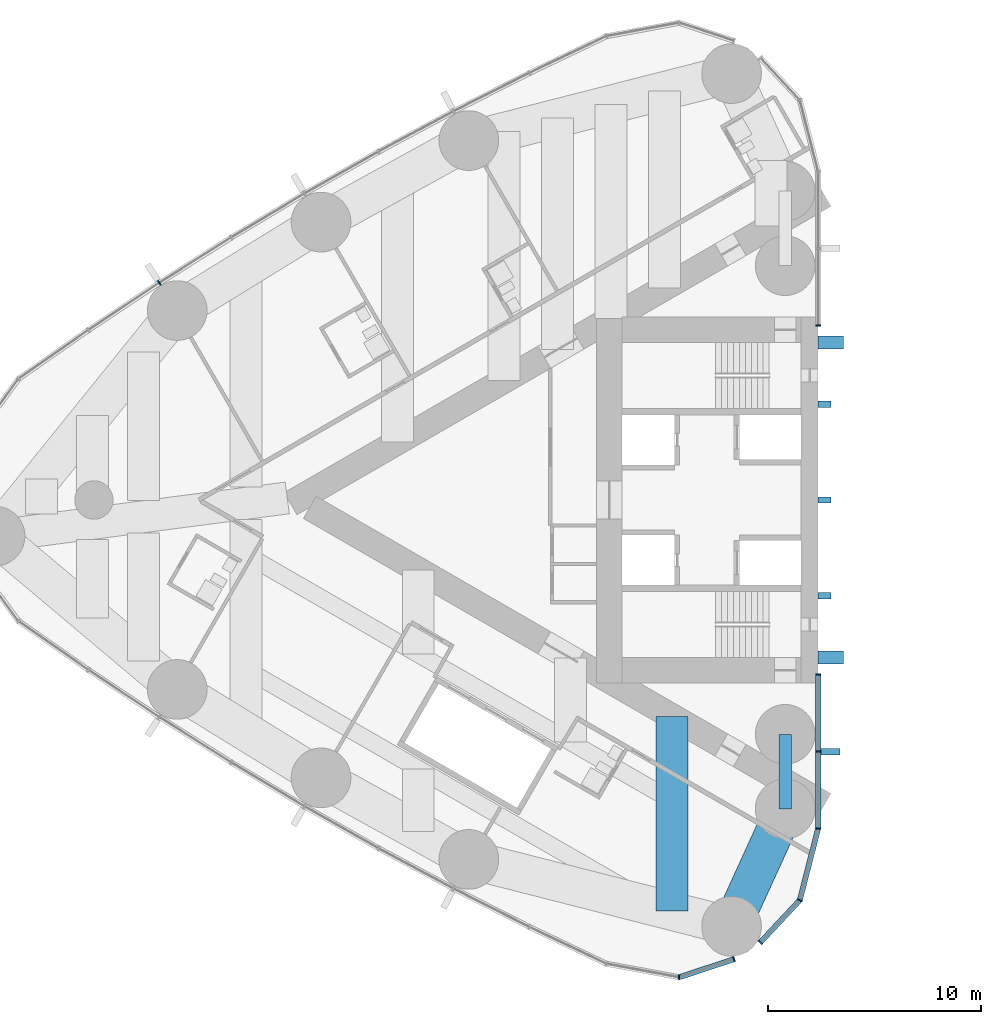
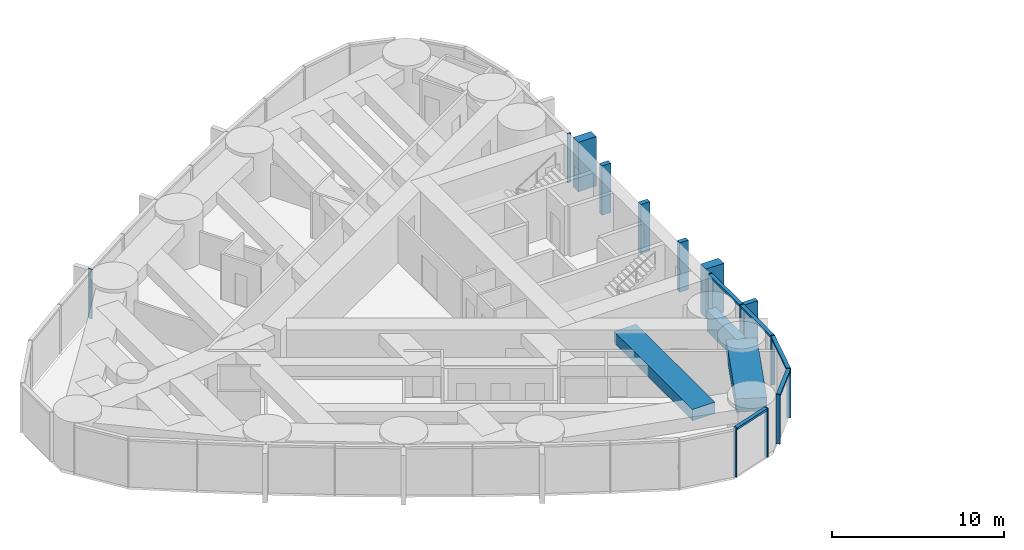
# One storey, part 4 of 19: 20 members, 3 beams, 4 elements without a shape of their own.
"""IFC4 building model written with IfcOpenShell, lengths in metres."""

from ifc_helpers import new_model, si_unit, direction, frame, origin, origin_2d, place, context, subcontext, project, spatial, rectangle, hollow_rectangle, extrude, material, material_profile, profile_set, type_object, element, aggregate, save


model = new_model("IFC4")

# Units and contexts
model_context = context("Model", 3, precision=1e-05, world=origin(), true_north=direction((0.0, 1.0)))
body_context = subcontext(model_context, "Body", "Model", "MODEL_VIEW")
ifc_project = project(units=[si_unit("LENGTHUNIT", "METRE"), si_unit("AREAUNIT", "SQUARE_METRE"), si_unit("VOLUMEUNIT", "CUBIC_METRE"), si_unit("PLANEANGLEUNIT", "RADIAN"), si_unit("MASSUNIT", "GRAM", prefix="KILO")], contexts=[model_context])

# Site, building, storey
site_placement = place(None, origin())
site = spatial("IfcSite", under=ifc_project, at=site_placement, CompositionType="ELEMENT")
building_placement = place(site_placement, origin())
building = spatial("IfcBuilding", under=site, at=building_placement, Name="Lancet Gate Hotel", CompositionType="ELEMENT")
storey_placement = place(building_placement, frame((0.0, 0.0, 194.800048828125)))
storey = spatial("IfcBuildingStorey", under=building, at=storey_placement, Name="L52", CompositionType="ELEMENT", Elevation=194.800048828125)

# Curtain wall, member
ifc_material_1 = material(Name="Aluminium curtain wall", Category="aluminium")
curtain_wall_type = type_object("IfcCurtainWallType", Name="Tower unitised curtain wall", PredefinedType="USERDEFINED", material=ifc_material_1)
curtain_wall_1_placement = place(storey_placement, origin())
curtain_wall_1 = element("IfcCurtainWall", 1, at=curtain_wall_1_placement, inside=storey, type_object=curtain_wall_type, Name="T1 L52 curtain wall 1", ObjectType="UNITISED CURTAIN WALL", PredefinedType="USERDEFINED")
ifc_material_2 = material(Name="Aluminium mullion", Category="aluminium")
ifc_material_profile_1 = material_profile(ifc_material_2, rectangle(XDim=0.06494140625, YDim=0.25, at=origin_2d()), Name="MULLION 65x250")
ifc_profile_set_1 = profile_set([ifc_material_profile_1], Name="Aluminium mullion")
member_type_1 = type_object("IfcMemberType", Name="Aluminium mullion 65x250", PredefinedType="MULLION", material=ifc_profile_set_1)
member_1_placement = place(storey_placement, frame((-27.5, 8.199951171875, 0.0), z_axis=(0.0, 0.0, 1.0), x_axis=(0.0, 1.0, 0.0)))
member_1 = element("IfcMember", 2, at=member_1_placement, type_object=member_type_1, Name="T1 L52 curtain wall 1 mullion 1", PredefinedType="MULLION", context=body_context, shape_type="SweptSolid", body=[
    extrude(rectangle(XDim=0.06494140625, YDim=0.25, at=origin_2d()), origin(), (0.0, 0.0, 1.0), 3.5),
])
aggregate(curtain_wall_1, [member_1])

curtain_wall_2_placement = place(storey_placement, origin())
curtain_wall_2 = element("IfcCurtainWall", 3, at=curtain_wall_2_placement, inside=storey, type_object=curtain_wall_type, Name="T1 L52 curtain wall 2", ObjectType="UNITISED CURTAIN WALL", PredefinedType="USERDEFINED")
member_2_placement = place(storey_placement, frame((-58.43212890625, 10.194091796875, 0.0), z_axis=(0.0, 0.0, 1.0), x_axis=(-0.839331119324, -0.54362052218, 0.0)))
member_2 = element("IfcMember", 4, at=member_2_placement, type_object=member_type_1, Name="T1 L52 curtain wall 2 mullion 9", PredefinedType="MULLION", context=body_context, shape_type="SweptSolid", body=[
    extrude(rectangle(XDim=0.06494140625, YDim=0.25, at=origin_2d()), origin(), (0.0, 0.0, 1.0), 3.5),
])
aggregate(curtain_wall_2, [member_2])

# Curtain wall, members
curtain_wall_3_placement = place(storey_placement, origin())
curtain_wall_3 = element("IfcCurtainWall", 5, at=curtain_wall_3_placement, inside=storey, type_object=curtain_wall_type, Name="T1 L52 curtain wall 3", ObjectType="UNITISED CURTAIN WALL", PredefinedType="USERDEFINED")
member_3_placement = place(storey_placement, frame((-34.02783203125, -22.407470703125, 0.0), z_axis=(0.0, 0.0, 1.0), x_axis=(0.999350473622, 0.036036521361, 0.0)))
member_3 = element("IfcMember", 6, at=member_3_placement, type_object=member_type_1, Name="T1 L52 curtain wall 3 mullion 11", PredefinedType="MULLION", context=body_context, shape_type="SweptSolid", body=[
    extrude(rectangle(XDim=0.06494140625, YDim=0.25, at=origin_2d()), origin(), (0.0, 0.0, 1.0), 3.5),
])
member_4_placement = place(storey_placement, frame((-31.45263671875, -21.5595703125, 0.0), z_axis=(0.0, 0.0, 1.0), x_axis=(0.949848055084, 0.312711803827, 0.0)))
member_4 = element("IfcMember", 7, at=member_4_placement, type_object=member_type_1, Name="T1 L52 curtain wall 3 mullion 12", PredefinedType="MULLION", context=body_context, shape_type="SweptSolid", body=[
    extrude(rectangle(XDim=0.06494140625, YDim=0.25, at=origin_2d()), origin(), (0.0, 0.0, 1.0), 3.5),
])

curtain_wall_4_placement = place(storey_placement, origin())
curtain_wall_4 = element("IfcCurtainWall", 8, at=curtain_wall_4_placement, inside=storey, type_object=curtain_wall_type, Name="T1 L52 curtain wall 4", ObjectType="UNITISED CURTAIN WALL", PredefinedType="USERDEFINED")
member_5_placement = place(storey_placement, frame((-30.210693359375, -20.765625, 0.0), z_axis=(0.0, 0.0, 1.0), x_axis=(0.682844962172, 0.730563315282, 0.0)))
member_5 = element("IfcMember", 9, at=member_5_placement, type_object=member_type_1, Name="T1 L52 curtain wall 4 mullion 1", PredefinedType="MULLION", context=body_context, shape_type="SweptSolid", body=[
    extrude(rectangle(XDim=0.06494140625, YDim=0.25, at=origin_2d()), origin(), (0.0, 0.0, 1.0), 3.5),
])
member_6_placement = place(storey_placement, frame((-28.360595703125, -18.7861328125, 0.0), z_axis=(0.0, 0.0, 1.0), x_axis=(0.452507601198, 0.891760545695, 0.0)))
member_6 = element("IfcMember", 10, at=member_6_placement, type_object=member_type_1, Name="T1 L52 curtain wall 4 mullion 2", PredefinedType="MULLION", context=body_context, shape_type="SweptSolid", body=[
    extrude(rectangle(XDim=0.06494140625, YDim=0.25, at=origin_2d()), origin(), (0.0, 0.0, 1.0), 3.5),
])
member_7_placement = place(storey_placement, frame((-27.5, -15.42333984375, 0.0), z_axis=(0.0, 0.0, 1.0), x_axis=(0.122467472845, 0.992472527627, 0.0)))
member_7 = element("IfcMember", 11, at=member_7_placement, type_object=member_type_1, Name="T1 L52 curtain wall 4 mullion 3", PredefinedType="MULLION", context=body_context, shape_type="SweptSolid", body=[
    extrude(rectangle(XDim=0.06494140625, YDim=0.25, at=origin_2d()), origin(), (0.0, 0.0, 1.0), 3.5),
])
member_8_placement = place(storey_placement, frame((-27.5, -11.811767578125, 0.0), z_axis=(0.0, 0.0, 1.0), x_axis=(0.0, 1.0, 0.0)))
member_8 = element("IfcMember", 12, at=member_8_placement, type_object=member_type_1, Name="T1 L52 curtain wall 4 mullion 4", PredefinedType="MULLION", context=body_context, shape_type="SweptSolid", body=[
    extrude(rectangle(XDim=0.06494140625, YDim=0.25, at=origin_2d()), origin(), (0.0, 0.0, 1.0), 3.5),
])
member_9_placement = place(storey_placement, frame((-27.5, -8.199951171875, 0.0), z_axis=(0.0, 0.0, 1.0), x_axis=(0.0, 1.0, 0.0)))
member_9 = element("IfcMember", 13, at=member_9_placement, type_object=member_type_1, Name="T1 L52 curtain wall 4 mullion 5", PredefinedType="MULLION", context=body_context, shape_type="SweptSolid", body=[
    extrude(rectangle(XDim=0.06494140625, YDim=0.25, at=origin_2d()), origin(), (0.0, 0.0, 1.0), 3.5),
])

# Member
ifc_material_3 = material(Name="Aluminium transom", Category="aluminium")
ifc_material_profile_2 = material_profile(ifc_material_3, rectangle(XDim=0.25, YDim=0.14990234375, at=origin_2d()), Name="TRANSOM 250x150")
ifc_profile_set_2 = profile_set([ifc_material_profile_2], Name="Aluminium transom")
member_type_2 = type_object("IfcMemberType", Name="Aluminium transom 250x150", PredefinedType="USERDEFINED", material=ifc_profile_set_2)
member_10_placement = place(storey_placement, frame((-33.9970703125, -22.397216796875, 3.425048828125), z_axis=(0.949857661259, 0.312682623993, 0.0), x_axis=(-0.312682623993, 0.949857661259, 0.0)))
member_10 = element("IfcMember", 14, at=member_10_placement, type_object=member_type_2, Name="T1 L52 curtain wall 3 transom 11", ObjectType="TRANSOM", PredefinedType="USERDEFINED", context=body_context, shape_type="SweptSolid", body=[
    extrude(rectangle(XDim=0.25, YDim=0.14990234375, at=origin_2d()), origin(), (0.0, 0.0, 1.0), 2.64599609375),
])

aggregate(curtain_wall_3, [member_3, member_4, member_10])

member_11_placement = place(storey_placement, frame((-30.188720703125, -20.741943359375, 3.425048828125), z_axis=(0.682841037959, 0.730566983157, 0.0), x_axis=(-0.730566983157, 0.682841037959, 0.0)))
member_11 = element("IfcMember", 15, at=member_11_placement, type_object=member_type_2, Name="T1 L52 curtain wall 4 transom 1", ObjectType="TRANSOM", PredefinedType="USERDEFINED", context=body_context, shape_type="SweptSolid", body=[
    extrude(rectangle(XDim=0.25, YDim=0.14990234375, at=origin_2d()), origin(), (0.0, 0.0, 1.0), 2.644775390625),
])

member_12_placement = place(storey_placement, frame((-28.3525390625, -18.754638671875, 3.425048828125), z_axis=(0.247928683912, 0.968778286139, 0.0), x_axis=(-0.968778286139, 0.247928683912, 0.0)))
member_12 = element("IfcMember", 16, at=member_12_placement, type_object=member_type_2, Name="T1 L52 curtain wall 4 transom 2", ObjectType="TRANSOM", PredefinedType="USERDEFINED", context=body_context, shape_type="SweptSolid", body=[
    extrude(rectangle(XDim=0.25, YDim=0.14990234375, at=origin_2d()), origin(), (0.0, 0.0, 1.0), 3.40625),
])

member_13_placement = place(storey_placement, frame((-27.5, -15.390869140625, 3.425048828125), z_axis=(0.0, 1.0, 0.0), x_axis=(-1.0, 0.0, 0.0)))
member_13 = element("IfcMember", 17, at=member_13_placement, type_object=member_type_2, Name="T1 L52 curtain wall 4 transom 3", ObjectType="TRANSOM", PredefinedType="USERDEFINED", context=body_context, shape_type="SweptSolid", body=[
    extrude(rectangle(XDim=0.25, YDim=0.14990234375, at=origin_2d()), origin(), (0.0, 0.0, 1.0), 3.546630859375),
])

member_14_placement = place(storey_placement, frame((-27.5, -11.779296875, 3.425048828125), z_axis=(0.0, 1.0, 0.0), x_axis=(-1.0, 0.0, 0.0)))
member_14 = element("IfcMember", 18, at=member_14_placement, type_object=member_type_2, Name="T1 L52 curtain wall 4 transom 4", ObjectType="TRANSOM", PredefinedType="USERDEFINED", context=body_context, shape_type="SweptSolid", body=[
    extrude(rectangle(XDim=0.25, YDim=0.14990234375, at=origin_2d()), origin(), (0.0, 0.0, 1.0), 3.546875),
])

# Beam
ifc_material_4 = material(Name="Concrete C50/60", Category="concrete")
ifc_material_profile_3 = material_profile(ifc_material_4, rectangle(XDim=1.800048828125, YDim=0.949951171875, at=origin_2d()), Name="RC 1800x950")
ifc_profile_set_3 = profile_set([ifc_material_profile_3], Name="Concrete C50/60")
beam_type_1 = type_object("IfcBeamType", Name="Edge beam RC 1800x950", PredefinedType="SPANDREL", material=ifc_profile_set_3)
beam_1_placement = place(storey_placement, frame((-29.050048828125, -14.5, 2.77490234375), z_axis=(-0.414919206993, -0.909858259109, 0.0), x_axis=(0.909858259109, -0.414919206993, 0.0)))
element("IfcBeam", 19, at=beam_1_placement, inside=storey, type_object=beam_type_1, Name="T1 edge beam EB1 L52", PredefinedType="SPANDREL", context=body_context, shape_type="SweptSolid", body=[
    extrude(rectangle(XDim=1.800048828125, YDim=0.949951171875, at=origin_2d()), origin(), (0.0, 0.0, 1.0), 6.062255859375),
])

# Members
ifc_material_5 = material(Name="Concrete C60/75", Category="concrete")
ifc_material_profile_4 = material_profile(ifc_material_5, rectangle(XDim=0.60009765625, YDim=1.199951171875, at=origin_2d()), Name="FIN 600x1200")
ifc_profile_set_4 = profile_set([ifc_material_profile_4], Name="Concrete C60/75")
member_type_3 = type_object("IfcMemberType", Name="Exposed concrete buttress pilaster 600x1200", PredefinedType="USERDEFINED", material=ifc_profile_set_4)
for number, where, z_axis, x_axis, name in (
    (20, (-26.909912109375, 7.39990234375, 0.0), (0.0, 0.0, 1.0), (0.0, 1.0, 0.0), "T1 buttress pilaster S L52"),
    (21, (-26.909912109375, -7.39990234375, 0.0), (0.0, 0.0, 1.0), (0.0, 1.0, 0.0), "T1 buttress pilaster N L52"),
):
    element("IfcMember", number, at=place(storey_placement, frame(where, z_axis=z_axis, x_axis=x_axis)), inside=storey, type_object=member_type_3, Name=name, ObjectType="FIN", PredefinedType="USERDEFINED", context=body_context, shape_type="SweptSolid", body=[
        extrude(rectangle(XDim=0.60009765625, YDim=1.199951171875, at=origin_2d()), origin(), (0.0, 0.0, 1.0), 3.5),
    ])

# Member
ifc_material_6 = material(Name="Precast concrete C50/60", Category="concrete")
ifc_material_profile_5 = material_profile(ifc_material_6, rectangle(XDim=0.300048828125, YDim=0.89990234375, at=origin_2d()), Name="FIN 300x900")
ifc_profile_set_5 = profile_set([ifc_material_profile_5], Name="Precast concrete C50/60")
member_type_4 = type_object("IfcMemberType", Name="Exposed concrete fin 300x900", PredefinedType="USERDEFINED", material=ifc_profile_set_5)
member_15_placement = place(storey_placement, frame((-26.925048828125, -11.811767578125, 0.0), z_axis=(0.0, 0.0, 1.0), x_axis=(0.0, 1.0, 0.0)))
member_15 = element("IfcMember", 22, at=member_15_placement, type_object=member_type_4, Name="T1 L52 curtain wall 4 fin 4", ObjectType="FIN", PredefinedType="USERDEFINED", context=body_context, shape_type="SweptSolid", body=[
    extrude(rectangle(XDim=0.300048828125, YDim=0.89990234375, at=origin_2d()), origin(), (0.0, 0.0, 1.0), 3.5),
])

aggregate(curtain_wall_4, [member_5, member_6, member_7, member_8, member_15, member_9, member_11, member_12, member_13, member_14])

# Members
ifc_material_7 = material(Name="Concrete C60/75", Category="concrete")
ifc_material_profile_6 = material_profile(ifc_material_7, rectangle(XDim=0.300048828125, YDim=0.60009765625, at=origin_2d()), Name="FIN 300x600")
ifc_profile_set_6 = profile_set([ifc_material_profile_6], Name="Concrete C60/75")
member_type_5 = type_object("IfcMemberType", Name="Exposed concrete rib 300x600", PredefinedType="USERDEFINED", material=ifc_profile_set_6)
for number, where, z_axis, x_axis, name in (
    (23, (-27.2099609375, 4.5, 0.0), (0.0, 0.0, 1.0), (0.0, 1.0, 0.0), "T1 core rib 1 L52"),
    (24, (-27.2099609375, 0.0, 0.0), (0.0, 0.0, 1.0), (0.0, 1.0, 0.0), "T1 core rib 2 L52"),
    (25, (-27.2099609375, -4.5, 0.0), (0.0, 0.0, 1.0), (0.0, 1.0, 0.0), "T1 core rib 3 L52"),
):
    element("IfcMember", number, at=place(storey_placement, frame(where, z_axis=z_axis, x_axis=x_axis)), inside=storey, type_object=member_type_5, Name=name, ObjectType="FIN", PredefinedType="USERDEFINED", context=body_context, shape_type="SweptSolid", body=[
        extrude(rectangle(XDim=0.300048828125, YDim=0.60009765625, at=origin_2d()), origin(), (0.0, 0.0, 1.0), 3.5),
    ])

# Beams
ifc_material_8 = material(Name="Concrete C50/60", Category="concrete")
ifc_material_profile_7 = material_profile(ifc_material_8, rectangle(XDim=1.5, YDim=0.800048828125, at=origin_2d()), Name="RC 1500x800")
ifc_profile_set_7 = profile_set([ifc_material_profile_7], Name="Concrete C50/60")
beam_type_2 = type_object("IfcBeamType", Name="Floor beam RC 1500x800", PredefinedType="BEAM", material=ifc_profile_set_7)
beam_2_placement = place(storey_placement, frame((-34.353515625, -10.169921875, 2.849853515625), z_axis=(0.0, -1.0, 0.0), x_axis=(1.0, 0.0, 0.0)))
element("IfcBeam", 26, at=beam_2_placement, inside=storey, type_object=beam_type_2, Name="T1 floor beam F02N L52", PredefinedType="BEAM", context=body_context, shape_type="SweptSolid", body=[
    extrude(rectangle(XDim=1.5, YDim=0.800048828125, at=origin_2d()), origin(), (0.0, 0.0, 1.0), 9.13525390625),
])
ifc_material_9 = material(Name="Steel S460QL", Category="steel")
ifc_material_profile_8 = material_profile(ifc_material_9, hollow_rectangle(XDim=0.60009765625, YDim=1.5, WallThickness=0.050048828125, at=origin_2d()), Name="BOX 1500x600x50")
ifc_profile_set_8 = profile_set([ifc_material_profile_8], Name="Steel S460QL")
beam_type_3 = type_object("IfcBeamType", Name="Inner-face link beam BOX 1500x600x50", PredefinedType="BEAM", material=ifc_profile_set_8)
beam_3_placement = place(storey_placement, frame((-29.050048828125, -11.0, 2.5), z_axis=(0.0, -1.0, 0.0), x_axis=(1.0, 0.0, 0.0)))
element("IfcBeam", 27, at=beam_3_placement, inside=storey, type_object=beam_type_3, Name="T1 inner-face link beam LK1 L52", PredefinedType="BEAM", context=body_context, shape_type="SweptSolid", body=[
    extrude(hollow_rectangle(XDim=0.60009765625, YDim=1.5, WallThickness=0.050048828125, at=origin_2d()), origin(), (0.0, 0.0, 1.0), 3.5),
])

save(model, "model.ifc")
